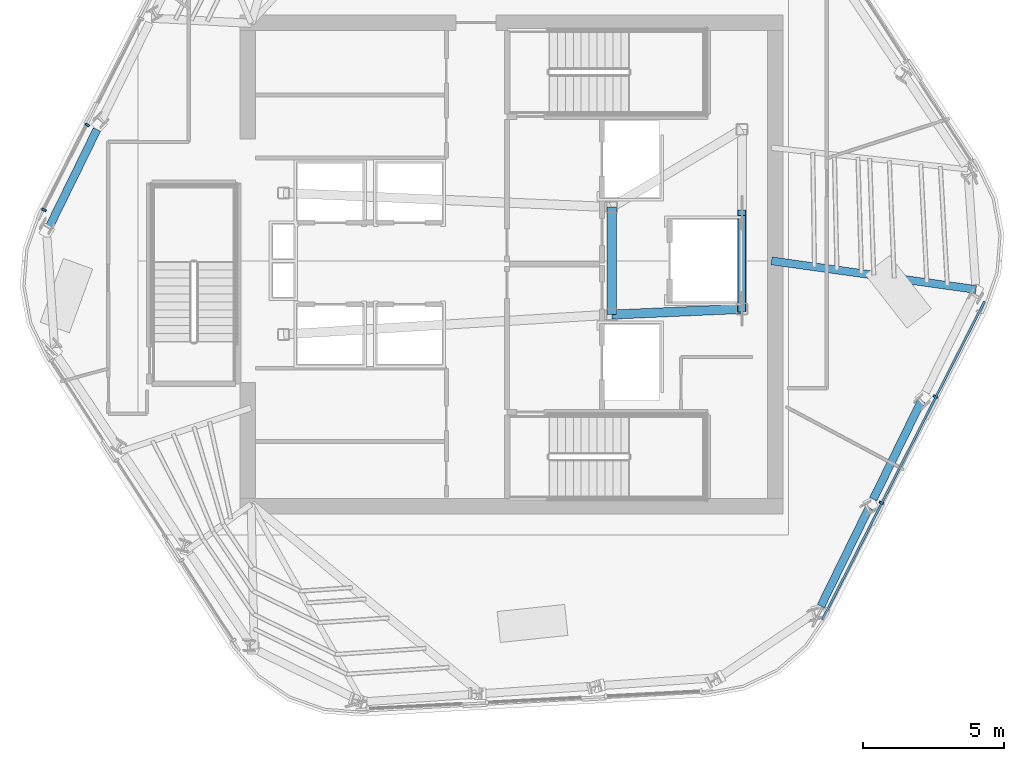
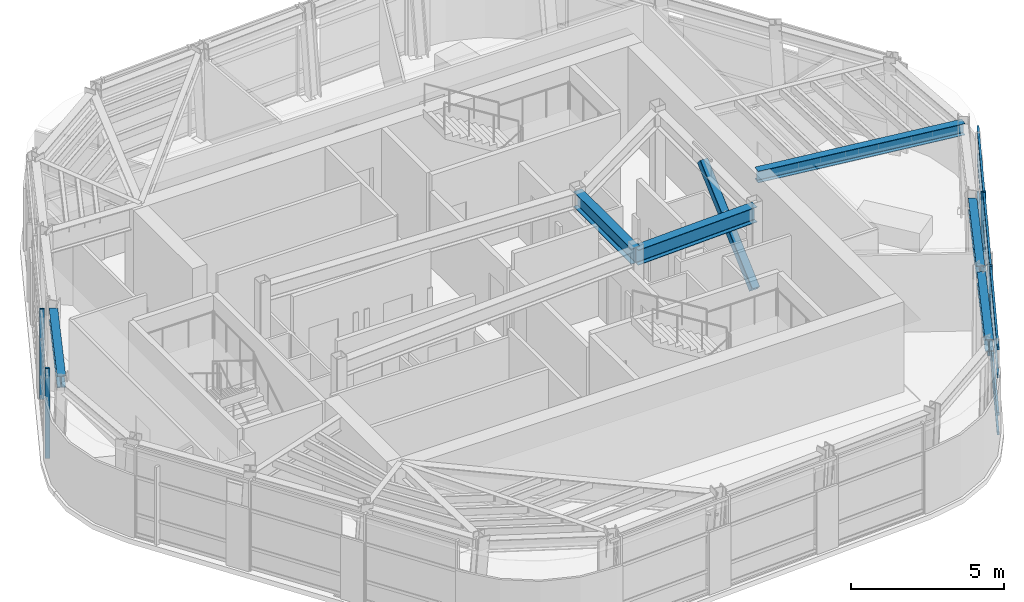
# One storey, part 3 of 13: 9 members, 6 beams, 2 elements without a shape of their own.
"""IFC4 building model written with IfcOpenShell, lengths in metres."""

from ifc_helpers import new_model, si_unit, direction, frame, origin, origin_2d, place, context, subcontext, project, spatial, rectangle, hollow_rectangle, i_section, extrude, material, layer, layer_set, material_profile, profile_set, type_object, element, aggregate, save


model = new_model("IFC4")

# Units and contexts
model_context = context("Model", 3, precision=1e-05, world=origin(), true_north=direction((0.0, 1.0)))
body_context = subcontext(model_context, "Body", "Model", "MODEL_VIEW")
ifc_project = project(units=[si_unit("LENGTHUNIT", "METRE"), si_unit("AREAUNIT", "SQUARE_METRE"), si_unit("VOLUMEUNIT", "CUBIC_METRE"), si_unit("PLANEANGLEUNIT", "RADIAN"), si_unit("MASSUNIT", "GRAM", prefix="KILO")], contexts=[model_context])

# Site, building, storey
site_placement = place(None, origin())
site = spatial("IfcSite", under=ifc_project, at=site_placement, CompositionType="ELEMENT")
building_placement = place(site_placement, origin())
building = spatial("IfcBuilding", under=site, at=building_placement, Name="Valkerne Bourse Tower", CompositionType="ELEMENT")
storey_placement = place(building_placement, frame((0.0, 0.0, 296.39990234375)))
storey = spatial("IfcBuildingStorey", under=building, at=storey_placement, Name="L75", CompositionType="ELEMENT", Elevation=296.39990234375)

# Beams
ifc_material_1 = material(Name="Steel ASTM A992", Category="steel")
ifc_material_profile_1 = material_profile(ifc_material_1, i_section(OverallWidth=0.284423828125, OverallDepth=0.47509765625, WebThickness=0.014892578125, FlangeThickness=0.02392578125, FilletRadius=0.017822265625, at=origin_2d()), Name="W18X106")
ifc_profile_set_1 = profile_set([ifc_material_profile_1], Name="Steel ASTM A992")
beam_type_1 = type_object("IfcBeamType", Name="BM-W18X106", PredefinedType="BEAM", material=ifc_profile_set_1)
beam_1_placement = place(storey_placement, frame((32.14990234375, 31.642578125, 3.362548828125), z_axis=(-0.439985757253, -0.898004751332, 0.0), x_axis=(0.898004751332, -0.439985757253, 0.0)))
element("IfcBeam", 1, at=beam_1_placement, inside=storey, type_object=beam_type_1, Name="L75 Hexagonal Spandrel Ring Beam 06", PredefinedType="BEAM", context=body_context, shape_type="SweptSolid", body=[
    extrude(i_section(OverallWidth=0.284423828125, OverallDepth=0.47509765625, WebThickness=0.014892578125, FlangeThickness=0.02392578125, FilletRadius=0.017822265625, at=origin_2d()), origin(), (0.0, 0.0, 1.0), 3.8720703125),
])
for number, where, z_axis, x_axis, name in (
    (2, (57.744140625, 14.79248046875, 3.362548828125), (0.439934908185, 0.898029663519, 0.0), (-0.898029663519, 0.439934908185, 0.0), "L75 Hexagonal Spandrel Ring Beam 16"),
    (3, (59.59716796875, 18.574951171875, 3.362548828125), (0.439934908185, 0.898029663519, 0.0), (-0.898029663519, 0.439934908185, 0.0), "L75 Hexagonal Spandrel Ring Beam 17"),
):
    element("IfcBeam", number, at=place(storey_placement, frame(where, z_axis=z_axis, x_axis=x_axis)), inside=storey, type_object=beam_type_1, Name=name, PredefinedType="BEAM", context=body_context, shape_type="SweptSolid", body=[
        extrude(i_section(OverallWidth=0.284423828125, OverallDepth=0.47509765625, WebThickness=0.014892578125, FlangeThickness=0.02392578125, FilletRadius=0.017822265625, at=origin_2d()), origin(), (0.0, 0.0, 1.0), 3.871826171875),
    ])
ifc_material_profile_2 = material_profile(ifc_material_1, i_section(OverallWidth=0.279296875, OverallDepth=0.46240234375, WebThickness=0.0107421875, FlangeThickness=0.017333984375, FilletRadius=0.017822265625, at=origin_2d()), Name="W18X76")
ifc_profile_set_2 = profile_set([ifc_material_profile_2], Name="Steel ASTM A992")
beam_type_2 = type_object("IfcBeamType", Name="BM-W18X76", PredefinedType="BEAM", material=ifc_profile_set_2)
beam_2_placement = place(storey_placement, frame((63.228515625, 25.9873046875, 3.368896484375), z_axis=(-0.990328515181, 0.138742322378, 0.0), x_axis=(-0.138742322378, -0.990328515181, 0.0)))
element("IfcBeam", 4, at=beam_2_placement, inside=storey, type_object=beam_type_2, Name="L75 Radial Composite Floor Beam 19", PredefinedType="BEAM", context=body_context, shape_type="SweptSolid", body=[
    extrude(i_section(OverallWidth=0.279296875, OverallDepth=0.46240234375, WebThickness=0.0107421875, FlangeThickness=0.017333984375, FilletRadius=0.017822265625, at=origin_2d()), origin(), (0.0, 0.0, 1.0), 7.299072265625),
])
ifc_material_profile_3 = material_profile(ifc_material_1, i_section(OverallWidth=0.3251953125, OverallDepth=0.612060546875, WebThickness=0.0126953125, FlangeThickness=0.01904296875, FilletRadius=0.020263671875, at=origin_2d()), Name="W24X104")
ifc_profile_set_3 = profile_set([ifc_material_profile_3], Name="Steel ASTM A992")
beam_type_3 = type_object("IfcBeamType", Name="BM-W24X104", PredefinedType="BEAM", material=ifc_profile_set_3)
beam_3_placement = place(storey_placement, frame((50.35009765625, 25.10009765625, 3.2939453125), z_axis=(0.0, 1.0, 0.0), x_axis=(-1.0, 0.0, 0.0)))
element("IfcBeam", 5, at=beam_3_placement, inside=storey, type_object=beam_type_3, Name="L75 Core Frame Girder CG-CE", PredefinedType="BEAM", context=body_context, shape_type="SweptSolid", body=[
    extrude(i_section(OverallWidth=0.3251953125, OverallDepth=0.612060546875, WebThickness=0.0126953125, FlangeThickness=0.01904296875, FilletRadius=0.020263671875, at=origin_2d()), origin(), (0.0, 0.0, 1.0), 3.7998046875),
])
beam_4_placement = place(storey_placement, frame((50.35009765625, 25.10009765625, 3.2939453125), z_axis=(0.999056558506, 0.043428019819, 0.0), x_axis=(-0.043428019819, 0.999056558506, 0.0)))
element("IfcBeam", 6, at=beam_4_placement, inside=storey, type_object=beam_type_3, Name="L75 Core Frame Girder CG-SE", PredefinedType="BEAM", context=body_context, shape_type="SweptSolid", body=[
    extrude(i_section(OverallWidth=0.3251953125, OverallDepth=0.612060546875, WebThickness=0.0126953125, FlangeThickness=0.01904296875, FilletRadius=0.020263671875, at=origin_2d()), origin(), (0.0, 0.0, 1.0), 4.604248046875),
])

# Curtain wall, members
ifc_material_2 = material(Name="Aluminium AA 6063-T6", Category="aluminium")
ifc_layer = layer(ifc_material_2, 0.2451171875)
ifc_layer_set = layer_set([ifc_layer], Name="Aluminium AA 6063-T6")
curtain_wall_type = type_object("IfcCurtainWallType", Name="CW-05", PredefinedType="NOTDEFINED", material=ifc_layer_set)
curtain_wall_1_placement = place(storey_placement, origin())
curtain_wall_1 = element("IfcCurtainWall", 7, at=curtain_wall_1_placement, inside=storey, type_object=curtain_wall_type, Name="L75 Hexagonal Stick Curtain Wall Face 2", PredefinedType="NOTDEFINED")
ifc_material_profile_4 = material_profile(ifc_material_2, rectangle(XDim=0.074951171875, YDim=0.159912109375, at=origin_2d()), Name="CWM-75X160")
ifc_profile_set_4 = profile_set([ifc_material_profile_4], Name="Aluminium AA 6063-T6")
member_type_1 = type_object("IfcMemberType", Name="CW-MUL-160X75", PredefinedType="MULLION", material=ifc_profile_set_4)
member_1_placement = place(storey_placement, frame((31.80810546875, 31.8037109375, 0.0), z_axis=(0.0, 0.0, 1.0), x_axis=(-0.453990865515, -0.891006337817, 0.0)))
member_1 = element("IfcMember", 8, at=member_1_placement, type_object=member_type_1, Name="CW-L75-F2 Jamb Mullion 02A", PredefinedType="MULLION", context=body_context, shape_type="SweptSolid", body=[
    extrude(rectangle(XDim=0.074951171875, YDim=0.159912109375, at=origin_2d()), origin(), (0.0, 0.0, 1.0), 3.60009765625),
])
member_2_placement = place(storey_placement, frame((30.277099609375, 28.79931640625, 0.0), z_axis=(0.0, 0.0, 1.0), x_axis=(-0.453990865515, -0.891006337817, 0.0)))
member_2 = element("IfcMember", 9, at=member_2_placement, type_object=member_type_1, Name="CW-L75-F2 Jamb Mullion 02B", PredefinedType="MULLION", context=body_context, shape_type="SweptSolid", body=[
    extrude(rectangle(XDim=0.074951171875, YDim=0.159912109375, at=origin_2d()), origin(), (0.0, 0.0, 1.0), 3.60009765625),
])
aggregate(curtain_wall_1, [member_1, member_2])

curtain_wall_2_placement = place(storey_placement, origin())
curtain_wall_2 = element("IfcCurtainWall", 10, at=curtain_wall_2_placement, inside=storey, type_object=curtain_wall_type, Name="L75 Hexagonal Stick Curtain Wall Face 5", PredefinedType="NOTDEFINED")
member_3_placement = place(storey_placement, frame((59.879638671875, 18.443359375, 0.0), z_axis=(0.0, 0.0, 1.0), x_axis=(0.453990865515, 0.891006337817, 0.0)))
member_3 = element("IfcMember", 11, at=member_3_placement, type_object=member_type_1, Name="CW-L75-F5 Jamb Mullion 01A", PredefinedType="MULLION", context=body_context, shape_type="SweptSolid", body=[
    extrude(rectangle(XDim=0.074951171875, YDim=0.159912109375, at=origin_2d()), origin(), (0.0, 0.0, 1.0), 3.60009765625),
])
member_4_placement = place(storey_placement, frame((61.7919921875, 22.1962890625, 0.0), z_axis=(0.0, 0.0, 1.0), x_axis=(0.453990865515, 0.891006337817, 0.0)))
member_4 = element("IfcMember", 12, at=member_4_placement, type_object=member_type_1, Name="CW-L75-F5 Jamb Mullion 02A", PredefinedType="MULLION", context=body_context, shape_type="SweptSolid", body=[
    extrude(rectangle(XDim=0.074951171875, YDim=0.159912109375, at=origin_2d()), origin(), (0.0, 0.0, 1.0), 3.60009765625),
])
ifc_material_profile_5 = material_profile(ifc_material_2, rectangle(XDim=0.074951171875, YDim=0.1201171875, at=origin_2d()), Name="CWT-75X120")
ifc_profile_set_5 = profile_set([ifc_material_profile_5], Name="Aluminium AA 6063-T6")
member_type_2 = type_object("IfcMemberType", Name="CW-TRN-120X75", PredefinedType="USERDEFINED", material=ifc_profile_set_5)
member_5_placement = place(storey_placement, frame((57.794677734375, 14.30712890625, 0.1201171875), z_axis=(0.453986271911, 0.891008678362, 0.0), x_axis=(-0.891008678362, 0.453986271911, 0.0)))
member_5 = element("IfcMember", 13, at=member_5_placement, type_object=member_type_2, Name="CW-L75-F5 Continuous Face Transom 1", ObjectType="TRANSOM", PredefinedType="USERDEFINED", context=body_context, shape_type="SweptSolid", body=[
    extrude(rectangle(XDim=0.074951171875, YDim=0.1201171875, at=origin_2d()), origin(), (0.0, 0.0, 1.0), 12.635986328125),
])
member_6_placement = place(storey_placement, frame((57.794677734375, 14.30712890625, 0.900146484375), z_axis=(0.453986271911, 0.891008678362, 0.0), x_axis=(-0.891008678362, 0.453986271911, 0.0)))
member_6 = element("IfcMember", 14, at=member_6_placement, type_object=member_type_2, Name="CW-L75-F5 Continuous Face Transom 2", ObjectType="TRANSOM", PredefinedType="USERDEFINED", context=body_context, shape_type="SweptSolid", body=[
    extrude(rectangle(XDim=0.074951171875, YDim=0.1201171875, at=origin_2d()), origin(), (0.0, 0.0, 1.0), 12.635986328125),
])
member_7_placement = place(storey_placement, frame((57.794677734375, 14.30712890625, 2.400146484375), z_axis=(0.453986271911, 0.891008678362, 0.0), x_axis=(-0.891008678362, 0.453986271911, 0.0)))
member_7 = element("IfcMember", 15, at=member_7_placement, type_object=member_type_2, Name="CW-L75-F5 Continuous Face Transom 3", ObjectType="TRANSOM", PredefinedType="USERDEFINED", context=body_context, shape_type="SweptSolid", body=[
    extrude(rectangle(XDim=0.074951171875, YDim=0.1201171875, at=origin_2d()), origin(), (0.0, 0.0, 1.0), 12.635986328125),
])
member_8_placement = place(storey_placement, frame((57.794677734375, 14.30712890625, 3.52001953125), z_axis=(0.453986271911, 0.891008678362, 0.0), x_axis=(-0.891008678362, 0.453986271911, 0.0)))
member_8 = element("IfcMember", 16, at=member_8_placement, type_object=member_type_2, Name="CW-L75-F5 Continuous Face Transom 4", ObjectType="TRANSOM", PredefinedType="USERDEFINED", context=body_context, shape_type="SweptSolid", body=[
    extrude(rectangle(XDim=0.074951171875, YDim=0.1201171875, at=origin_2d()), origin(), (0.0, 0.0, 1.0), 12.635986328125),
])
aggregate(curtain_wall_2, [member_5, member_6, member_7, member_8, member_3, member_4])

# Member
ifc_material_3 = material(Name="Steel ASTM A500 Grade C", Category="steel")
ifc_material_profile_6 = material_profile(ifc_material_3, hollow_rectangle(XDim=0.300048828125, YDim=0.300048828125, WallThickness=0.012451171875, OuterFilletRadius=0.02490234375, at=origin_2d()), Name="HSS300X300X12.5")
ifc_profile_set_6 = profile_set([ifc_material_profile_6], Name="Steel ASTM A500 Grade C")
member_type_3 = type_object("IfcMemberType", Name="MBR-HSS300X300X12.5", PredefinedType="STRUT", material=ifc_profile_set_6)
member_9_placement = place(storey_placement, frame((54.949951171875, 25.300048828125, 0.22021484375), z_axis=(0.0, 0.741793158493, 0.670628742311), x_axis=(-1.0, 0.0, 0.0)))
element("IfcMember", 17, at=member_9_placement, inside=storey, type_object=member_type_3, Name="L75 Core Service Pier Lateral Brace", PredefinedType="STRUT", context=body_context, shape_type="SweptSolid", body=[
    extrude(hollow_rectangle(XDim=0.300048828125, YDim=0.300048828125, WallThickness=0.012451171875, OuterFilletRadius=0.02490234375, at=origin_2d()), origin(), (0.0, 0.0, 1.0), 4.583251953125),
])

save(model, "model.ifc")
